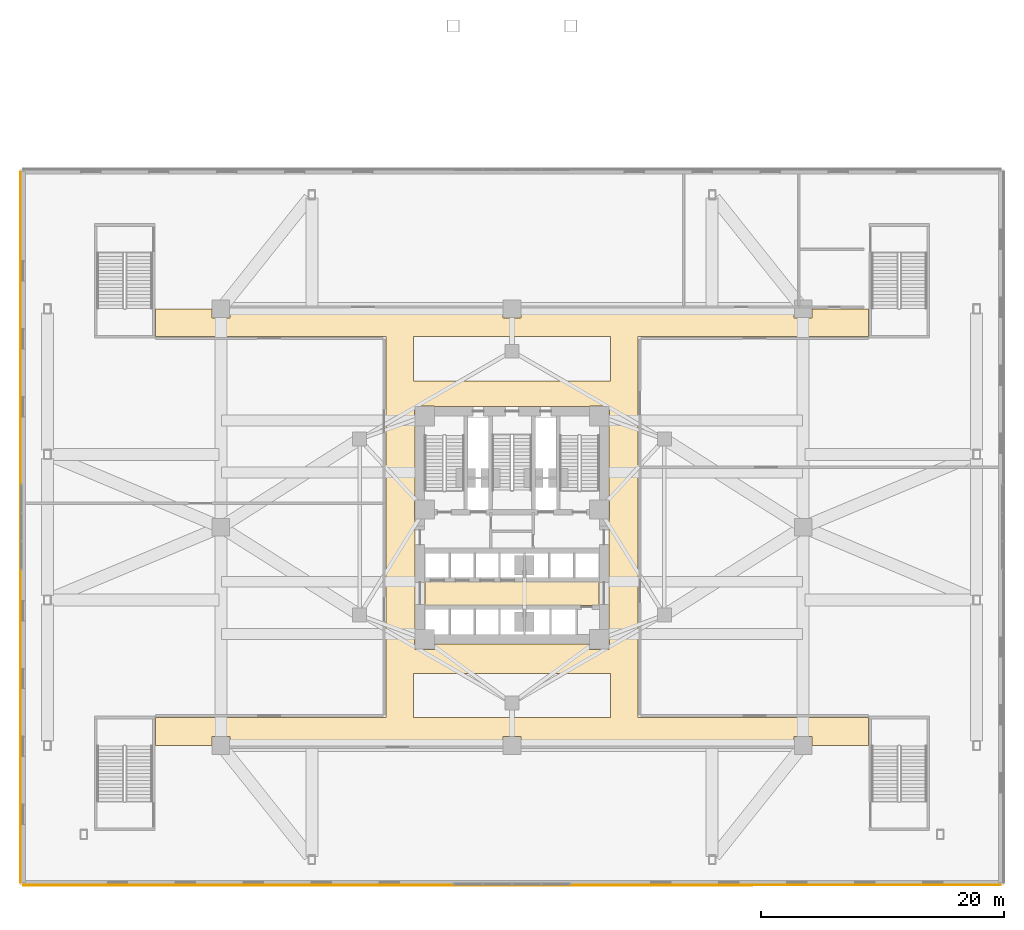
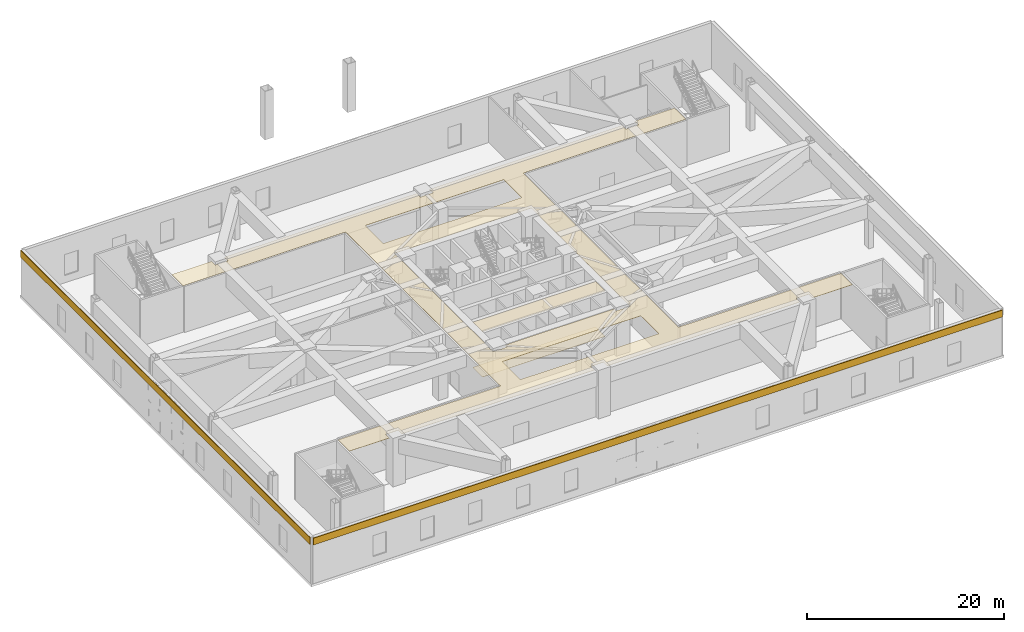
# One storey, part 18 of 24: 5 coverings.
"""IFC4 building model written with IfcOpenShell, lengths in metres."""

from ifc_helpers import new_model, si_unit, direction, frame, origin, place, context, subcontext, project, spatial, polyline, outline, extrude, material, layer, layer_set, type_object, element, save


model = new_model("IFC4")

# Units and contexts
model_context = context("Model", 3, precision=1e-05, world=origin(), true_north=direction((0.0, 1.0)))
body_context = subcontext(model_context, "Body", "Model", "MODEL_VIEW")
ifc_project = project(units=[si_unit("LENGTHUNIT", "METRE"), si_unit("AREAUNIT", "SQUARE_METRE"), si_unit("VOLUMEUNIT", "CUBIC_METRE"), si_unit("PLANEANGLEUNIT", "RADIAN"), si_unit("MASSUNIT", "GRAM", prefix="KILO")], contexts=[model_context])

# Site, building, storey
site_placement = place(None, origin())
site = spatial("IfcSite", under=ifc_project, at=site_placement, CompositionType="ELEMENT")
building_placement = place(site_placement, origin())
building = spatial("IfcBuilding", under=site, at=building_placement, Name="Apsidion Concourse Tower", CompositionType="ELEMENT")
storey_placement = place(building_placement, frame((0.0, 0.0, 17.5)))
storey = spatial("IfcBuildingStorey", under=building, at=storey_placement, Name="L03", CompositionType="ELEMENT", Elevation=17.5)

# Coverings
ifc_material_1 = material(Name="Acoustic mineral fibre ceiling")
ifc_layer_1 = layer(ifc_material_1, 0.0400390625)
ifc_layer_set_1 = layer_set([ifc_layer_1], Name="Acoustic mineral fibre ceiling")
covering_type_1 = type_object("IfcCoveringType", Name="COV-CEIL-40", PredefinedType="CEILING", material=ifc_layer_set_1)
covering_1_placement = place(storey_placement, frame((0.0, 0.0, 5.60009765625)))
element("IfcCovering", 1, at=covering_1_placement, inside=storey, type_object=covering_type_1, Name="L03 Acoustic Ceiling Grid 1", PredefinedType="CEILING", context=body_context, shape_type="SweptSolid", body=[
    extrude(outline(polyline([(-7.179931640625, -6.449951171875), (-7.179931640625, -4.47998046875), (7.179931640625, -4.47998046875), (7.179931640625, -6.449951171875), (-7.179931640625, -6.449951171875)])), origin(), (0.0, 0.0, 1.0), 0.039794921875),
])
covering_2_placement = place(storey_placement, frame((0.0, 0.0, 5.60009765625)))
element("IfcCovering", 2, at=covering_2_placement, inside=storey, type_object=covering_type_1, Name="L03 Acoustic Ceiling Grid 2", PredefinedType="CEILING", context=body_context, shape_type="SweptSolid", body=[
    extrude(outline(polyline([(8.10009765625, -18.0), (0.7451171875, -18.0), (0.7451171875, -17.27490234375), (0.744873046875, -17.27294921875), (0.74462890625, -17.27099609375), (0.744140625, -17.269287109375), (0.743408203125, -17.267333984375), (0.74267578125, -17.265625), (0.74169921875, -17.263916015625), (0.740478515625, -17.26220703125), (0.739013671875, -17.260986328125), (0.73779296875, -17.259521484375), (0.736083984375, -17.25830078125), (0.734375, -17.25732421875), (0.732666015625, -17.256591796875), (0.730712890625, -17.255859375), (0.72900390625, -17.25537109375), (0.72705078125, -17.255126953125), (0.72509765625, -17.2548828125), (-0.72509765625, -17.2548828125), (-0.72705078125, -17.255126953125), (-0.72900390625, -17.25537109375), (-0.730712890625, -17.255859375), (-0.732666015625, -17.256591796875), (-0.734375, -17.25732421875), (-0.736083984375, -17.25830078125), (-0.73779296875, -17.259521484375), (-0.739013671875, -17.260986328125), (-0.740478515625, -17.26220703125), (-0.74169921875, -17.263916015625), (-0.74267578125, -17.265625), (-0.743408203125, -17.267333984375), (-0.744140625, -17.269287109375), (-0.74462890625, -17.27099609375), (-0.744873046875, -17.27294921875), (-0.7451171875, -17.27490234375), (-0.7451171875, -18.0), (-8.10009765625, -18.0), (-10.39990234375, -18.0), (-23.2548828125, -18.0), (-23.2548828125, -17.27490234375), (-23.255126953125, -17.27294921875), (-23.25537109375, -17.27099609375), (-23.255859375, -17.269287109375), (-23.256591796875, -17.267333984375), (-23.25732421875, -17.265625), (-23.25830078125, -17.263916015625), (-23.259521484375, -17.26220703125), (-23.260986328125, -17.260986328125), (-23.26220703125, -17.259521484375), (-23.263916015625, -17.25830078125), (-23.265625, -17.25732421875), (-23.267333984375, -17.256591796875), (-23.269287109375, -17.255859375), (-23.27099609375, -17.25537109375), (-23.27294921875, -17.255126953125), (-23.27490234375, -17.2548828125), (-24.72509765625, -17.2548828125), (-24.72705078125, -17.255126953125), (-24.72900390625, -17.25537109375), (-24.730712890625, -17.255859375), (-24.732666015625, -17.256591796875), (-24.734375, -17.25732421875), (-24.736083984375, -17.25830078125), (-24.73779296875, -17.259521484375), (-24.739013671875, -17.260986328125), (-24.740478515625, -17.26220703125), (-24.74169921875, -17.263916015625), (-24.74267578125, -17.265625), (-24.743408203125, -17.267333984375), (-24.744140625, -17.269287109375), (-24.74462890625, -17.27099609375), (-24.744873046875, -17.27294921875), (-24.7451171875, -17.27490234375), (-24.7451171875, -18.0), (-29.39990234375, -18.0), (-29.39990234375, -15.699951171875), (-10.39990234375, -15.699951171875), (-10.39990234375, -12.050048828125), (-10.39990234375, 12.050048828125), (-10.39990234375, 15.699951171875), (-29.39990234375, 15.699951171875), (-29.39990234375, 18.0), (-24.7451171875, 18.0), (-24.7451171875, 17.27490234375), (-24.744873046875, 17.27294921875), (-24.74462890625, 17.27099609375), (-24.744140625, 17.269287109375), (-24.743408203125, 17.267333984375), (-24.74267578125, 17.265625), (-24.74169921875, 17.263916015625), (-24.740478515625, 17.26220703125), (-24.739013671875, 17.260986328125), (-24.73779296875, 17.259521484375), (-24.736083984375, 17.25830078125), (-24.734375, 17.25732421875), (-24.732666015625, 17.256591796875), (-24.730712890625, 17.255859375), (-24.72900390625, 17.25537109375), (-24.72705078125, 17.255126953125), (-24.72509765625, 17.2548828125), (-23.27490234375, 17.2548828125), (-23.27294921875, 17.255126953125), (-23.27099609375, 17.25537109375), (-23.269287109375, 17.255859375), (-23.267333984375, 17.256591796875), (-23.265625, 17.25732421875), (-23.263916015625, 17.25830078125), (-23.26220703125, 17.259521484375), (-23.260986328125, 17.260986328125), (-23.259521484375, 17.26220703125), (-23.25830078125, 17.263916015625), (-23.25732421875, 17.265625), (-23.256591796875, 17.267333984375), (-23.255859375, 17.269287109375), (-23.25537109375, 17.27099609375), (-23.255126953125, 17.27294921875), (-23.2548828125, 17.27490234375), (-23.2548828125, 18.0), (-10.39990234375, 18.0), (-8.10009765625, 18.0), (-0.7451171875, 18.0), (-0.7451171875, 17.27490234375), (-0.744873046875, 17.27294921875), (-0.74462890625, 17.27099609375), (-0.744140625, 17.269287109375), (-0.743408203125, 17.267333984375), (-0.74267578125, 17.265625), (-0.74169921875, 17.263916015625), (-0.740478515625, 17.26220703125), (-0.739013671875, 17.260986328125), (-0.73779296875, 17.259521484375), (-0.736083984375, 17.25830078125), (-0.734375, 17.25732421875), (-0.732666015625, 17.256591796875), (-0.730712890625, 17.255859375), (-0.72900390625, 17.25537109375), (-0.72705078125, 17.255126953125), (-0.72509765625, 17.2548828125), (0.72509765625, 17.2548828125), (0.72705078125, 17.255126953125), (0.72900390625, 17.25537109375), (0.730712890625, 17.255859375), (0.732666015625, 17.256591796875), (0.734375, 17.25732421875), (0.736083984375, 17.25830078125), (0.73779296875, 17.259521484375), (0.739013671875, 17.260986328125), (0.740478515625, 17.26220703125), (0.74169921875, 17.263916015625), (0.74267578125, 17.265625), (0.743408203125, 17.267333984375), (0.744140625, 17.269287109375), (0.74462890625, 17.27099609375), (0.744873046875, 17.27294921875), (0.7451171875, 17.27490234375), (0.7451171875, 18.0), (8.10009765625, 18.0), (10.39990234375, 18.0), (23.2548828125, 18.0), (23.2548828125, 17.27490234375), (23.255126953125, 17.27294921875), (23.25537109375, 17.27099609375), (23.255859375, 17.269287109375), (23.256591796875, 17.267333984375), (23.25732421875, 17.265625), (23.25830078125, 17.263916015625), (23.259521484375, 17.26220703125), (23.260986328125, 17.260986328125), (23.26220703125, 17.259521484375), (23.263916015625, 17.25830078125), (23.265625, 17.25732421875), (23.267333984375, 17.256591796875), (23.269287109375, 17.255859375), (23.27099609375, 17.25537109375), (23.27294921875, 17.255126953125), (23.27490234375, 17.2548828125), (24.72509765625, 17.2548828125), (24.72705078125, 17.255126953125), (24.72900390625, 17.25537109375), (24.730712890625, 17.255859375), (24.732666015625, 17.256591796875), (24.734375, 17.25732421875), (24.736083984375, 17.25830078125), (24.73779296875, 17.259521484375), (24.739013671875, 17.260986328125), (24.740478515625, 17.26220703125), (24.74169921875, 17.263916015625), (24.74267578125, 17.265625), (24.743408203125, 17.267333984375), (24.744140625, 17.269287109375), (24.74462890625, 17.27099609375), (24.744873046875, 17.27294921875), (24.7451171875, 17.27490234375), (24.7451171875, 18.0), (29.39990234375, 18.0), (29.39990234375, 15.699951171875), (10.39990234375, 15.699951171875), (10.39990234375, 12.050048828125), (10.39990234375, -12.050048828125), (10.39990234375, -15.699951171875), (29.39990234375, -15.699951171875), (29.39990234375, -18.0), (24.7451171875, -18.0), (24.7451171875, -17.27490234375), (24.744873046875, -17.27294921875), (24.74462890625, -17.27099609375), (24.744140625, -17.269287109375), (24.743408203125, -17.267333984375), (24.74267578125, -17.265625), (24.74169921875, -17.263916015625), (24.740478515625, -17.26220703125), (24.739013671875, -17.260986328125), (24.73779296875, -17.259521484375), (24.736083984375, -17.25830078125), (24.734375, -17.25732421875), (24.732666015625, -17.256591796875), (24.730712890625, -17.255859375), (24.72900390625, -17.25537109375), (24.72705078125, -17.255126953125), (24.72509765625, -17.2548828125), (23.27490234375, -17.2548828125), (23.27294921875, -17.255126953125), (23.27099609375, -17.25537109375), (23.269287109375, -17.255859375), (23.267333984375, -17.256591796875), (23.265625, -17.25732421875), (23.263916015625, -17.25830078125), (23.26220703125, -17.259521484375), (23.260986328125, -17.260986328125), (23.259521484375, -17.26220703125), (23.25830078125, -17.263916015625), (23.25732421875, -17.265625), (23.256591796875, -17.267333984375), (23.255859375, -17.269287109375), (23.25537109375, -17.27099609375), (23.255126953125, -17.27294921875), (23.2548828125, -17.27490234375), (23.2548828125, -18.0), (10.39990234375, -18.0), (8.10009765625, -18.0)]), holes=[polyline([(8.10009765625, -12.050048828125), (-8.10009765625, -12.050048828125), (-8.10009765625, -15.699951171875), (8.10009765625, -15.699951171875), (8.10009765625, -12.050048828125)]), polyline([(-8.10009765625, 15.699951171875), (-8.10009765625, 12.050048828125), (8.10009765625, 12.050048828125), (8.10009765625, 15.699951171875), (-8.10009765625, 15.699951171875)]), polyline([(6.3798828125, -9.64990234375), (6.3798828125, -10.050048828125), (6.380126953125, -10.052001953125), (6.38037109375, -10.053955078125), (6.380859375, -10.055908203125), (6.381591796875, -10.0576171875), (6.38232421875, -10.059326171875), (6.38330078125, -10.06103515625), (6.384521484375, -10.062744140625), (6.385986328125, -10.064208984375), (6.38720703125, -10.0654296875), (6.388916015625, -10.066650390625), (6.390625, -10.067626953125), (6.392333984375, -10.068603515625), (6.394287109375, -10.069091796875), (6.39599609375, -10.069580078125), (6.39794921875, -10.06982421875), (6.39990234375, -10.070068359375), (8.0, -10.070068359375), (8.001953125, -10.06982421875), (8.00390625, -10.069580078125), (8.005859375, -10.069091796875), (8.0078125, -10.068603515625), (8.009521484375, -10.067626953125), (8.010986328125, -10.066650390625), (8.0126953125, -10.0654296875), (8.01416015625, -10.064208984375), (8.015380859375, -10.062744140625), (8.0166015625, -10.06103515625), (8.017578125, -10.059326171875), (8.0185546875, -10.0576171875), (8.01904296875, -10.055908203125), (8.01953125, -10.053955078125), (8.02001953125, -10.052001953125), (8.02001953125, -10.050048828125), (8.02001953125, -8.449951171875), (8.02001953125, -8.447998046875), (8.01953125, -8.446044921875), (8.01904296875, -8.444091796875), (8.0185546875, -8.4423828125), (8.017578125, -8.440673828125), (8.0166015625, -8.43896484375), (8.015380859375, -8.437255859375), (8.01416015625, -8.435791015625), (8.0126953125, -8.4345703125), (8.010986328125, -8.433349609375), (8.009521484375, -8.432373046875), (8.0078125, -8.431396484375), (8.005859375, -8.430908203125), (8.00390625, -8.430419921875), (8.001953125, -8.43017578125), (8.0, -8.429931640625), (8.0, 0.6298828125), (8.001953125, 0.630126953125), (8.00390625, 0.63037109375), (8.005859375, 0.630859375), (8.0078125, 0.631591796875), (8.009521484375, 0.63232421875), (8.010986328125, 0.63330078125), (8.0126953125, 0.634521484375), (8.01416015625, 0.635986328125), (8.015380859375, 0.63720703125), (8.0166015625, 0.638916015625), (8.017578125, 0.640625), (8.0185546875, 0.642333984375), (8.01904296875, 0.644287109375), (8.01953125, 0.64599609375), (8.02001953125, 0.64794921875), (8.02001953125, 0.64990234375), (8.02001953125, 2.25), (8.02001953125, 2.251953125), (8.01953125, 2.25390625), (8.01904296875, 2.255859375), (8.0185546875, 2.2578125), (8.017578125, 2.259521484375), (8.0166015625, 2.260986328125), (8.015380859375, 2.2626953125), (8.01416015625, 2.26416015625), (8.0126953125, 2.265380859375), (8.010986328125, 2.2666015625), (8.009521484375, 2.267578125), (8.0078125, 2.2685546875), (8.005859375, 2.26904296875), (8.00390625, 2.26953125), (8.001953125, 2.27001953125), (8.0, 2.27001953125), (8.0, 8.330078125), (8.001953125, 8.330078125), (8.00390625, 8.330322265625), (8.005859375, 8.330810546875), (8.0078125, 8.33154296875), (8.009521484375, 8.33251953125), (8.010986328125, 8.33349609375), (8.0126953125, 8.33447265625), (8.01416015625, 8.3359375), (8.015380859375, 8.33740234375), (8.0166015625, 8.3388671875), (8.017578125, 8.340576171875), (8.0185546875, 8.34228515625), (8.01904296875, 8.34423828125), (8.01953125, 8.34619140625), (8.02001953125, 8.347900390625), (8.02001953125, 8.35009765625), (8.02001953125, 9.949951171875), (8.02001953125, 9.951904296875), (8.01953125, 9.953857421875), (8.01904296875, 9.955810546875), (8.0185546875, 9.957763671875), (8.017578125, 9.95947265625), (8.0166015625, 9.961181640625), (8.015380859375, 9.962646484375), (8.01416015625, 9.964111328125), (8.0126953125, 9.965576171875), (8.010986328125, 9.966552734375), (8.009521484375, 9.967529296875), (8.0078125, 9.968505859375), (8.005859375, 9.968994140625), (8.00390625, 9.969482421875), (8.001953125, 9.969970703125), (8.0, 9.969970703125), (6.39990234375, 9.969970703125), (6.39794921875, 9.969970703125), (6.39599609375, 9.969482421875), (6.394287109375, 9.968994140625), (6.392333984375, 9.968505859375), (6.390625, 9.967529296875), (6.388916015625, 9.966552734375), (6.38720703125, 9.965576171875), (6.385986328125, 9.964111328125), (6.384521484375, 9.962646484375), (6.38330078125, 9.961181640625), (6.38232421875, 9.95947265625), (6.381591796875, 9.957763671875), (6.380859375, 9.955810546875), (6.38037109375, 9.953857421875), (6.380126953125, 9.951904296875), (6.3798828125, 9.949951171875), (6.3798828125, 9.949951171875), (-6.3798828125, 9.949951171875), (-6.3798828125, 9.949951171875), (-6.380126953125, 9.951904296875), (-6.38037109375, 9.953857421875), (-6.380859375, 9.955810546875), (-6.381591796875, 9.957763671875), (-6.38232421875, 9.95947265625), (-6.38330078125, 9.961181640625), (-6.384521484375, 9.962646484375), (-6.385986328125, 9.964111328125), (-6.38720703125, 9.965576171875), (-6.388916015625, 9.966552734375), (-6.390625, 9.967529296875), (-6.392333984375, 9.968505859375), (-6.394287109375, 9.968994140625), (-6.39599609375, 9.969482421875), (-6.39794921875, 9.969970703125), (-6.39990234375, 9.969970703125), (-8.0, 9.969970703125), (-8.001953125, 9.969970703125), (-8.00390625, 9.969482421875), (-8.005859375, 9.968994140625), (-8.0078125, 9.968505859375), (-8.009521484375, 9.967529296875), (-8.010986328125, 9.966552734375), (-8.0126953125, 9.965576171875), (-8.01416015625, 9.964111328125), (-8.015380859375, 9.962646484375), (-8.0166015625, 9.961181640625), (-8.017578125, 9.95947265625), (-8.0185546875, 9.957763671875), (-8.01904296875, 9.955810546875), (-8.01953125, 9.953857421875), (-8.02001953125, 9.951904296875), (-8.02001953125, 9.949951171875), (-8.02001953125, 8.35009765625), (-8.02001953125, 8.347900390625), (-8.01953125, 8.34619140625), (-8.01904296875, 8.34423828125), (-8.0185546875, 8.34228515625), (-8.017578125, 8.340576171875), (-8.0166015625, 8.3388671875), (-8.015380859375, 8.33740234375), (-8.01416015625, 8.3359375), (-8.0126953125, 8.33447265625), (-8.010986328125, 8.33349609375), (-8.009521484375, 8.33251953125), (-8.0078125, 8.33154296875), (-8.005859375, 8.330810546875), (-8.00390625, 8.330322265625), (-8.001953125, 8.330078125), (-8.0, 8.330078125), (-8.0, 2.27001953125), (-8.001953125, 2.27001953125), (-8.00390625, 2.26953125), (-8.005859375, 2.26904296875), (-8.0078125, 2.2685546875), (-8.009521484375, 2.267578125), (-8.010986328125, 2.2666015625), (-8.0126953125, 2.265380859375), (-8.01416015625, 2.26416015625), (-8.015380859375, 2.2626953125), (-8.0166015625, 2.260986328125), (-8.017578125, 2.259521484375), (-8.0185546875, 2.2578125), (-8.01904296875, 2.255859375), (-8.01953125, 2.25390625), (-8.02001953125, 2.251953125), (-8.02001953125, 2.25), (-8.02001953125, 0.64990234375), (-8.02001953125, 0.64794921875), (-8.01953125, 0.64599609375), (-8.01904296875, 0.644287109375), (-8.0185546875, 0.642333984375), (-8.017578125, 0.640625), (-8.0166015625, 0.638916015625), (-8.015380859375, 0.63720703125), (-8.01416015625, 0.635986328125), (-8.0126953125, 0.634521484375), (-8.010986328125, 0.63330078125), (-8.009521484375, 0.63232421875), (-8.0078125, 0.631591796875), (-8.005859375, 0.630859375), (-8.00390625, 0.63037109375), (-8.001953125, 0.630126953125), (-8.0, 0.6298828125), (-8.0, -8.429931640625), (-8.001953125, -8.43017578125), (-8.00390625, -8.430419921875), (-8.005859375, -8.430908203125), (-8.0078125, -8.431396484375), (-8.009521484375, -8.432373046875), (-8.010986328125, -8.433349609375), (-8.0126953125, -8.4345703125), (-8.01416015625, -8.435791015625), (-8.015380859375, -8.437255859375), (-8.0166015625, -8.43896484375), (-8.017578125, -8.440673828125), (-8.0185546875, -8.4423828125), (-8.01904296875, -8.444091796875), (-8.01953125, -8.446044921875), (-8.02001953125, -8.447998046875), (-8.02001953125, -8.449951171875), (-8.02001953125, -10.050048828125), (-8.02001953125, -10.052001953125), (-8.01953125, -10.053955078125), (-8.01904296875, -10.055908203125), (-8.0185546875, -10.0576171875), (-8.017578125, -10.059326171875), (-8.0166015625, -10.06103515625), (-8.015380859375, -10.062744140625), (-8.01416015625, -10.064208984375), (-8.0126953125, -10.0654296875), (-8.010986328125, -10.066650390625), (-8.009521484375, -10.067626953125), (-8.0078125, -10.068603515625), (-8.005859375, -10.069091796875), (-8.00390625, -10.069580078125), (-8.001953125, -10.06982421875), (-8.0, -10.070068359375), (-6.39990234375, -10.070068359375), (-6.39794921875, -10.06982421875), (-6.39599609375, -10.069580078125), (-6.394287109375, -10.069091796875), (-6.392333984375, -10.068603515625), (-6.390625, -10.067626953125), (-6.388916015625, -10.066650390625), (-6.38720703125, -10.0654296875), (-6.385986328125, -10.064208984375), (-6.384521484375, -10.062744140625), (-6.38330078125, -10.06103515625), (-6.38232421875, -10.059326171875), (-6.381591796875, -10.0576171875), (-6.380859375, -10.055908203125), (-6.38037109375, -10.053955078125), (-6.380126953125, -10.052001953125), (-6.3798828125, -10.050048828125), (-6.3798828125, -9.64990234375), (6.3798828125, -9.64990234375)])]), origin(), (0.0, 0.0, 1.0), 0.039794921875),
])
ifc_material_2 = material(Name="Reconstituted limestone facade cladding", Category="masonry")
ifc_layer_2 = layer(ifc_material_2, 0.080078125)
ifc_layer_set_2 = layer_set([ifc_layer_2], Name="Reconstituted limestone facade cladding")
covering_type_2 = type_object("IfcCoveringType", Name="COV-CLAD-80", PredefinedType="CLADDING", material=ifc_layer_set_2)
covering_3_placement = place(storey_placement, frame((0.0, 0.0, 4.85009765625)))
element("IfcCovering", 3, at=covering_3_placement, inside=storey, type_object=covering_type_2, Name="L03 Limestone Spandrel Cladding S", PredefinedType="CLADDING", context=body_context, shape_type="SweptSolid", body=[
    extrude(outline(polyline([(40.300048828125, -29.47998046875), (-40.300048828125, -29.47998046875), (-40.300048828125, -29.56005859375), (40.300048828125, -29.56005859375), (40.300048828125, -29.47998046875)])), origin(), (0.0, 0.0, 1.0), 0.849853515625),
])
covering_4_placement = place(storey_placement, frame((0.0, 0.0, 4.85009765625)))
element("IfcCovering", 4, at=covering_4_placement, inside=storey, type_object=covering_type_2, Name="L03 Limestone Spandrel Cladding W", PredefinedType="CLADDING", context=body_context, shape_type="SweptSolid", body=[
    extrude(outline(polyline([(-40.47998046875, -29.300048828125), (-40.47998046875, 29.300048828125), (-40.56005859375, 29.300048828125), (-40.56005859375, -29.300048828125), (-40.47998046875, -29.300048828125)])), origin(), (0.0, 0.0, 1.0), 0.849853515625),
])
ifc_material_3 = material(Name="Honed travertine floor finish", Category="masonry")
ifc_layer_3 = layer(ifc_material_3, 0.02001953125)
ifc_layer_set_3 = layer_set([ifc_layer_3], Name="Honed travertine floor finish")
covering_type_3 = type_object("IfcCoveringType", Name="COV-FLOR-20", PredefinedType="FLOORING", material=ifc_layer_set_3)
covering_5_placement = place(storey_placement, origin())
element("IfcCovering", 5, at=covering_5_placement, inside=storey, type_object=covering_type_3, Name="L03 Honed Travertine Floor Finish 1", PredefinedType="FLOORING", context=body_context, shape_type="SweptSolid", body=[
    extrude(outline(polyline([(-7.179931640625, -6.449951171875), (-7.179931640625, -4.47998046875), (7.179931640625, -4.47998046875), (7.179931640625, -6.449951171875), (-7.179931640625, -6.449951171875)])), origin(), (0.0, 0.0, 1.0), 0.02001953125),
])

save(model, "model.ifc")
